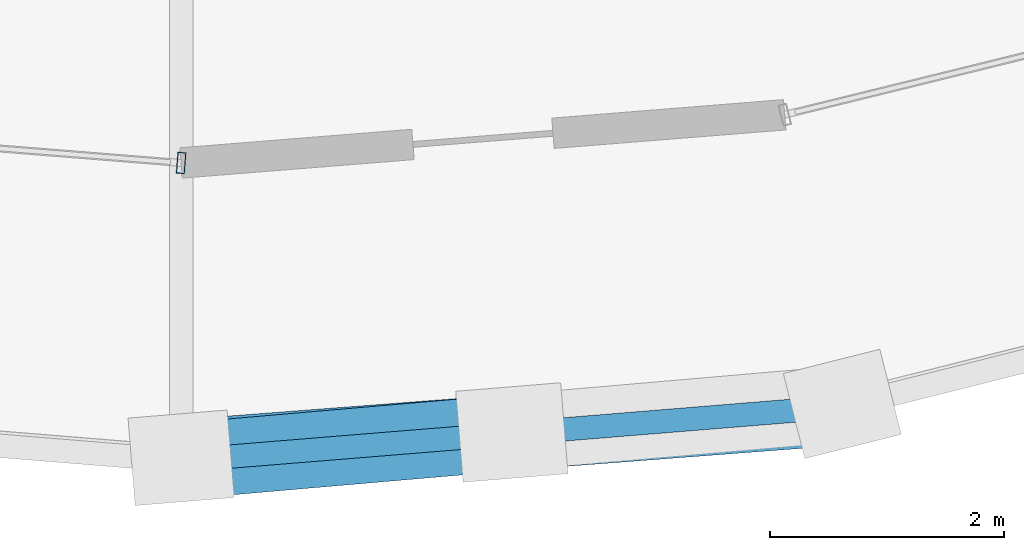
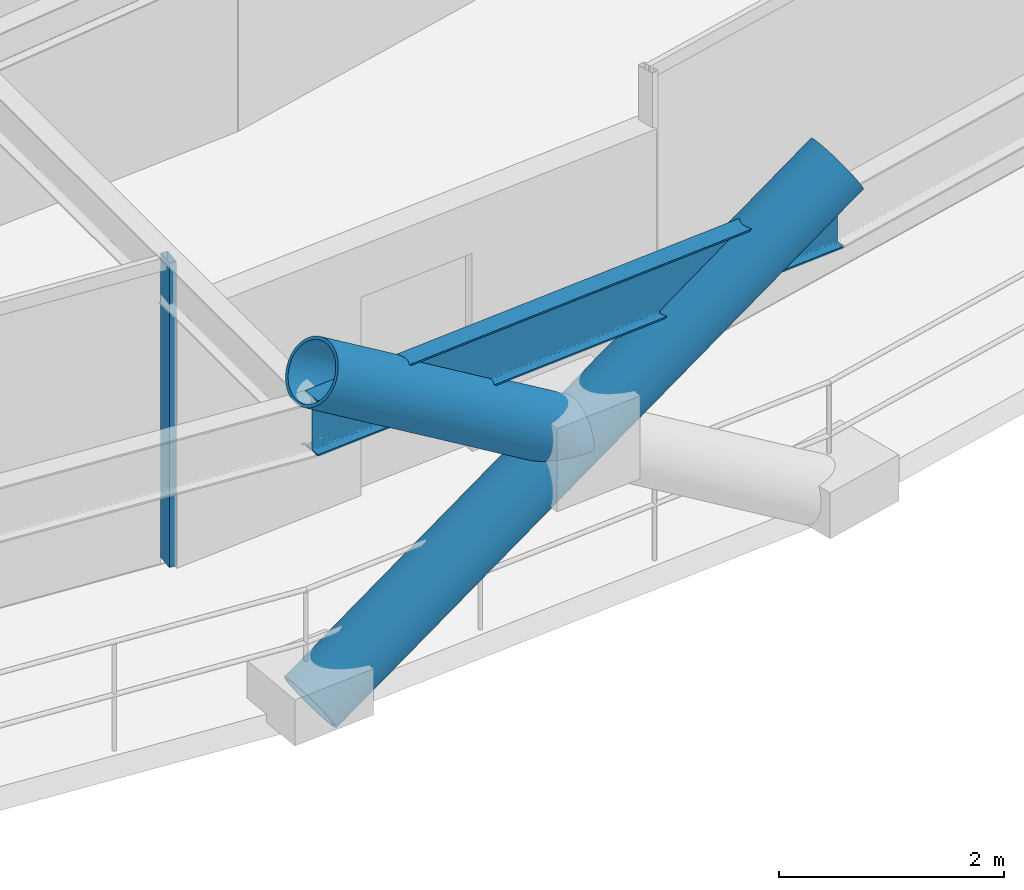
# One storey, part 5 of 21: 3 members, 1 beam, 1 element without a shape of its own.
"""IFC4 building model written with IfcOpenShell, lengths in metres."""

from ifc_helpers import new_model, si_unit, direction, frame, origin, origin_2d, place, context, subcontext, project, spatial, hollow_rectangle, hollow_circle, i_section, extrude, material, layer, layer_set, material_profile, profile_set, type_object, element, aggregate, save


model = new_model("IFC4")

# Units and contexts
model_context = context("Model", 3, precision=1e-05, world=origin(), true_north=direction((0.0, 1.0)))
body_context = subcontext(model_context, "Body", "Model", "MODEL_VIEW")
ifc_project = project(units=[si_unit("LENGTHUNIT", "METRE"), si_unit("AREAUNIT", "SQUARE_METRE"), si_unit("VOLUMEUNIT", "CUBIC_METRE"), si_unit("PLANEANGLEUNIT", "RADIAN"), si_unit("MASSUNIT", "GRAM", prefix="KILO")], contexts=[model_context])

# Site, building, storey
site_placement = place(None, origin())
site = spatial("IfcSite", under=ifc_project, at=site_placement, CompositionType="ELEMENT")
building_placement = place(site_placement, origin())
building = spatial("IfcBuilding", under=site, at=building_placement, Name="Veldorina Hangang Commons", CompositionType="ELEMENT")
storey_placement = place(building_placement, frame((0.0, 0.0, 73.60009765625)))
storey = spatial("IfcBuildingStorey", under=building, at=storey_placement, Name="L18", CompositionType="ELEMENT", Elevation=73.60009765625)

# Beam
ifc_material_1 = material(Name="Steel SM420-TMC", Category="steel")
ifc_material_profile_1 = material_profile(ifc_material_1, i_section(OverallWidth=0.199951171875, OverallDepth=0.60009765625, WebThickness=0.010986328125, FlangeThickness=0.01708984375, FilletRadius=0.01806640625, at=origin_2d()), Name="H-600x200x11x17")
ifc_profile_set_1 = profile_set([ifc_material_profile_1], Name="Steel SM420-TMC")
beam_type = type_object("IfcBeamType", Name="BM-RB600", PredefinedType="BEAM", material=ifc_profile_set_1)
beam_placement = place(storey_placement, frame((32.0, 0.013916015625, 3.039794921875), z_axis=(0.996697777509, 0.081200617657, 0.0), x_axis=(-0.081200617657, 0.996697777509, 0.0)))
element("IfcBeam", 1, at=beam_placement, inside=storey, type_object=beam_type, Name="L18 perimeter hoop ring beam 24", PredefinedType="BEAM", context=body_context, shape_type="SweptSolid", body=[
    extrude(i_section(OverallWidth=0.199951171875, OverallDepth=0.60009765625, WebThickness=0.010986328125, FlangeThickness=0.01708984375, FilletRadius=0.01806640625, at=origin_2d()), origin(), (0.0, 0.0, 1.0), 5.673583984375),
])

# Curtain wall, member
ifc_material_2 = material(Name="Glass Low-E Triple IGU", Category="glass")
ifc_layer = layer(ifc_material_2, 0.179931640625)
ifc_layer_set = layer_set([ifc_layer], Name="Glass Low-E Triple IGU")
curtain_wall_type = type_object("IfcCurtainWallType", Name="CW-SYS-Z1", PredefinedType="NOTDEFINED", material=ifc_layer_set)
curtain_wall_placement = place(storey_placement, origin())
curtain_wall = element("IfcCurtainWall", 2, at=curtain_wall_placement, inside=storey, type_object=curtain_wall_type, Name="L18 unitised curtain wall CW-L18-R1", PredefinedType="NOTDEFINED")
ifc_material_3 = material(Name="Aluminium Anodized AA6063-T6", Category="aluminium")
ifc_material_profile_2 = material_profile(ifc_material_3, hollow_rectangle(XDim=0.070068359375, YDim=0.179931640625, WallThickness=0.00390625, at=origin_2d()), Name="ALU-RHS-180x70x4")
ifc_profile_set_2 = profile_set([ifc_material_profile_2], Name="Aluminium Anodized AA6063-T6")
member_type_1 = type_object("IfcMemberType", Name="CW-MUL-180", PredefinedType="MULLION", material=ifc_profile_set_2)
member_1_placement = place(storey_placement, frame((32.0, 2.5576171875, 0.0), z_axis=(0.0, 0.0, 1.0), x_axis=(-0.996826293951, 0.079607409749, 0.0)))
member_1 = element("IfcMember", 3, at=member_1_placement, type_object=member_type_1, Name="CW-L18-R1 vertical mullion 4", PredefinedType="MULLION", context=body_context, shape_type="SweptSolid", body=[
    extrude(hollow_rectangle(XDim=0.070068359375, YDim=0.179931640625, WallThickness=0.00390625, at=origin_2d()), origin(), (0.0, 0.0, 1.0), 3.2998046875),
])
aggregate(curtain_wall, [member_1])

# Members
ifc_material_4 = material(Name="Steel SM460-TMC", Category="steel")
ifc_material_profile_3 = material_profile(ifc_material_4, hollow_circle(Radius=0.324951171875, WallThickness=0.031982421875, at=origin_2d()), Name="CHS-650x32")
ifc_profile_set_3 = profile_set([ifc_material_profile_3], Name="Steel SM460-TMC")
member_type_2 = type_object("IfcMemberType", Name="DG-CHS650", PredefinedType="BRACE", material=ifc_profile_set_3)
member_2_placement = place(storey_placement, frame((32.0, 0.03759765625, 0.0), z_axis=(0.841859096316, 0.064431329438, 0.5358375367), x_axis=(-0.076311404263, 0.997084033359, 0.0)))
element("IfcMember", 4, at=member_2_placement, inside=storey, type_object=member_type_2, Name="L18 continuous perimeter diagrid brace 24", PredefinedType="BRACE", context=body_context, shape_type="SweptSolid", body=[
    extrude(hollow_circle(Radius=0.324951171875, WallThickness=0.031982421875, at=origin_2d()), origin(), (0.0, 0.0, 1.0), 6.71826171875),
])
member_3_placement = place(storey_placement, frame((34.826416015625, 0.25390625, 1.799072265625), z_axis=(-0.841136962212, -0.072728521998, 0.535909668591), x_axis=(0.086143133296, -0.996282771399, 0.0)))
element("IfcMember", 5, at=member_3_placement, inside=storey, type_object=member_type_2, Name="L18 split perimeter diagrid upper brace 25", PredefinedType="BRACE", context=body_context, shape_type="SweptSolid", body=[
    extrude(hollow_circle(Radius=0.324951171875, WallThickness=0.031982421875, at=origin_2d()), origin(), (0.0, 0.0, 1.0), 3.3603515625),
])

save(model, "model.ifc")
